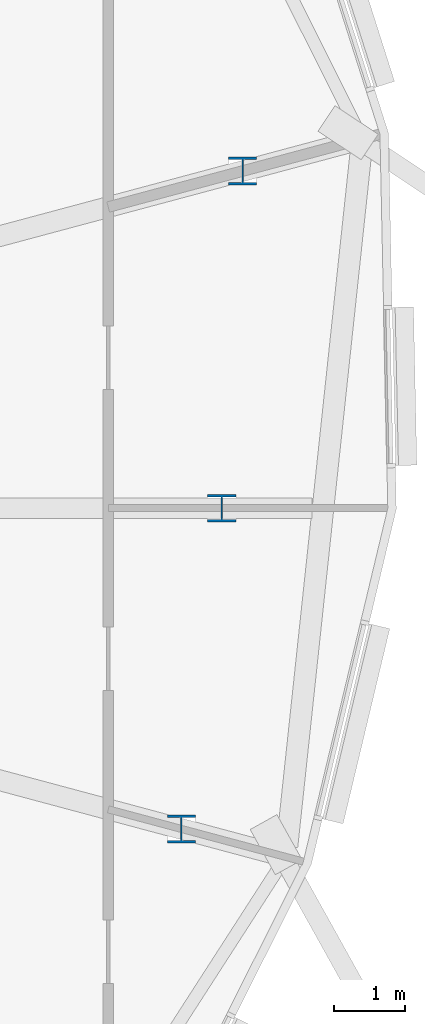
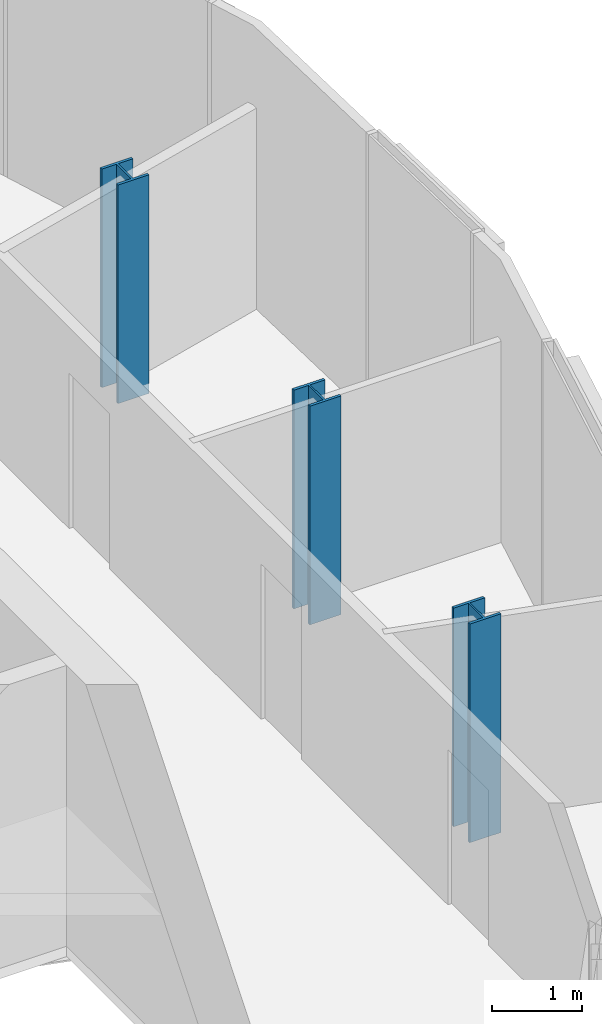
# One storey, part 2 of 41: 3 columns.
"""IFC4 building model written with IfcOpenShell, lengths in metres."""

from ifc_helpers import new_model, si_unit, direction, frame, origin, origin_2d, place, context, subcontext, project, spatial, i_section, extrude, material, material_profile, profile_set, type_object, element, save


model = new_model("IFC4")

# Units and contexts
model_context = context("Model", 3, precision=1e-05, world=origin(), true_north=direction((0.0, 1.0)))
body_context = subcontext(model_context, "Body", "Model", "MODEL_VIEW")
ifc_project = project(units=[si_unit("LENGTHUNIT", "METRE"), si_unit("AREAUNIT", "SQUARE_METRE"), si_unit("VOLUMEUNIT", "CUBIC_METRE"), si_unit("PLANEANGLEUNIT", "RADIAN"), si_unit("MASSUNIT", "GRAM", prefix="KILO")], contexts=[model_context])

# Site, building, storey
site_placement = place(None, origin())
site = spatial("IfcSite", under=ifc_project, at=site_placement, CompositionType="ELEMENT")
building_placement = place(site_placement, origin())
building = spatial("IfcBuilding", under=site, at=building_placement, Name="Rimbun Link Towers", CompositionType="ELEMENT")
storey_placement = place(building_placement, frame((0.0, 0.0, 214.300048828125)))
storey = spatial("IfcBuildingStorey", under=building, at=storey_placement, Name="L52", CompositionType="ELEMENT", Elevation=214.300048828125)

# Columns
ifc_material = material(Name="Steel S355J2", Category="steel")
ifc_material_profile = material_profile(ifc_material, i_section(OverallWidth=0.39892578125, OverallDepth=0.3935546875, WebThickness=0.022705078125, FlangeThickness=0.03662109375, at=origin_2d()), Name="UC 356x406x287")
ifc_profile_set = profile_set([ifc_material_profile], Name="Steel S355J2")
column_type = type_object("IfcColumnType", Name="UC 356x406x287", PredefinedType="COLUMN", material=ifc_profile_set)
for number, where, z_axis, x_axis, name in (
    (1, (48.6689453125, -4.533447265625, -0.14013671875), (0.0, 0.0, 1.0), (1.0, 0.0, 0.0), "Crease post T2 L52 20"),
    (2, (49.23974609375, 0.0, -0.14013671875), (0.0, 0.0, 1.0), (1.0, 0.0, 0.0), "Crease post T2 L52 21"),
    (3, (49.53369140625, 4.76513671875, -0.14013671875), (0.0, 0.0, 1.0), (1.0, 0.0, 0.0), "Crease post T2 L52 22"),
):
    element("IfcColumn", number, at=place(storey_placement, frame(where, z_axis=z_axis, x_axis=x_axis)), inside=storey, type_object=column_type, Name=name, PredefinedType="COLUMN", context=body_context, shape_type="SweptSolid", body=[
        extrude(i_section(OverallWidth=0.39892578125, OverallDepth=0.3935546875, WebThickness=0.022705078125, FlangeThickness=0.03662109375, at=origin_2d()), origin(), (0.0, 0.0, 1.0), 2.95947265625),
    ])

save(model, "model.ifc")
